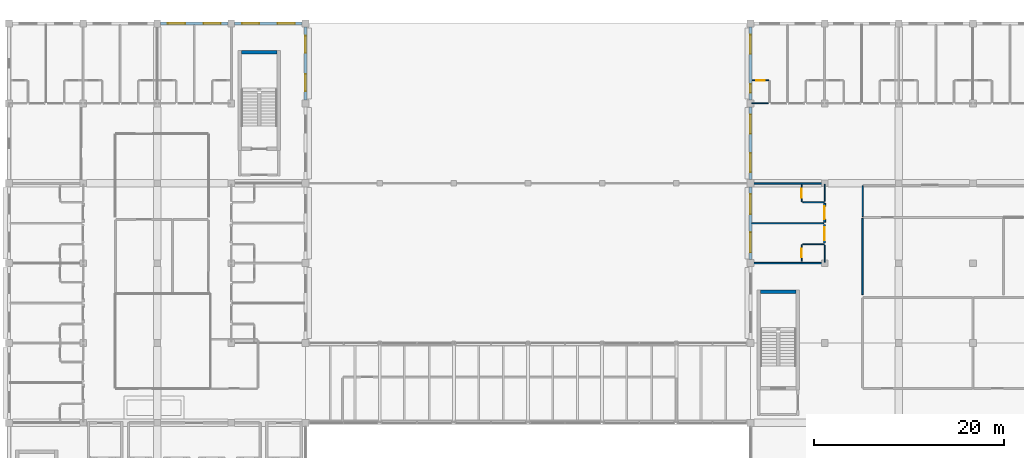
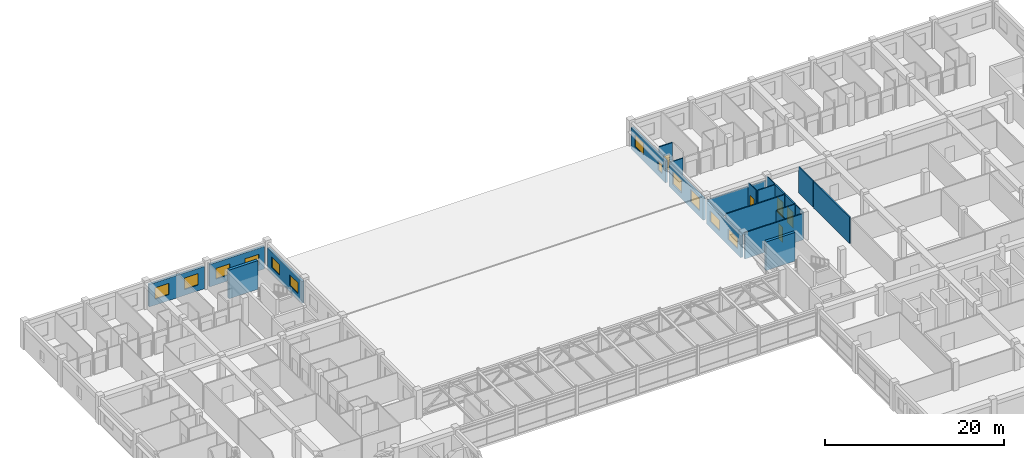
# One storey, part 60 of 72: 23 walls, 12 windows, 5 doors, 17 openings.
"""IFC4 building model written with IfcOpenShell, lengths in metres."""

from ifc_helpers import new_model, si_unit, direction, frame, frame_2d, origin, place, context, subcontext, project, spatial, rectangle, extrude, material, layer, layer_set, type_object, element, fill, save


model = new_model("IFC4")

# Units and contexts
model_context = context("Model", 3, precision=1e-05, world=origin(), true_north=direction((0.0, 1.0)))
body_context = subcontext(model_context, "Body", "Model", "MODEL_VIEW")
ifc_project = project(units=[si_unit("LENGTHUNIT", "METRE"), si_unit("AREAUNIT", "SQUARE_METRE"), si_unit("VOLUMEUNIT", "CUBIC_METRE"), si_unit("PLANEANGLEUNIT", "RADIAN"), si_unit("MASSUNIT", "GRAM", prefix="KILO"), si_unit("THERMODYNAMICTEMPERATUREUNIT", "KELVIN"), si_unit("POWERUNIT", "WATT")], contexts=[model_context])

# Site, building, storey
site_placement = place(None, origin())
site = spatial("IfcSite", under=ifc_project, at=site_placement, CompositionType="ELEMENT")
building_placement = place(site_placement, origin())
building = spatial("IfcBuilding", under=site, at=building_placement, Name="Srebrne Nadtorze General Hospital", CompositionType="ELEMENT")
storey_placement = place(building_placement, frame((0.0, 0.0, 22.199951171875)))
storey = spatial("IfcBuildingStorey", under=building, at=storey_placement, Name="L05", CompositionType="ELEMENT", Elevation=22.199951171875)

# Walls
ifc_material_1 = material(Name="Gypsum Healthcare Partition")
ifc_layer_1 = layer(ifc_material_1, 0.139892578125)
ifc_layer_set_1 = layer_set([ifc_layer_1], Name="Gypsum Healthcare Partition")
wall_type_1 = type_object("IfcWallType", Name="Clinical partition 140", PredefinedType="PARTITIONING", material=ifc_layer_set_1)
for number, where, z_axis, x_axis, name in (
    (1, (101.52001953125, 67.199951171875, 0.0), (0.0, 0.0, 1.0), (1.0, 0.0, 0.0), "Ward inter-room partition WL-INT-L05-2095"),
    (2, (101.52001953125, 71.39990234375, 0.0), (0.0, 0.0, 1.0), (1.0, 0.0, 0.0), "Ward inter-room partition WL-INT-L05-2096"),
):
    element("IfcWall", number, at=place(storey_placement, frame(where, z_axis=z_axis, x_axis=x_axis)), inside=storey, type_object=wall_type_1, Name=name, PredefinedType="PARTITIONING", context=body_context, shape_type="SweptSolid", body=[
        extrude(rectangle(XDim=7.56005859375, YDim=0.139892578125, at=frame_2d((3.780029296875, 0.0))), origin(), (0.0, 0.0, 1.0), 3.580078125),
    ])
wall_1_placement = place(storey_placement, frame((113.199951171875, 72.0849609375, 0.0), z_axis=(0.0, 0.0, 1.0), x_axis=(0.0, 1.0, 0.0)))
element("IfcWall", 3, at=wall_1_placement, inside=storey, type_object=wall_type_1, Name="Inpatient Ward Day Room wall WL-INT-L05-2151", PredefinedType="PARTITIONING", context=body_context, shape_type="SweptSolid", body=[
    extrude(rectangle(XDim=3.22998046875, YDim=0.139892578125, at=frame_2d((1.614990234375, 0.0))), origin(), (0.0, 0.0, 1.0), 3.580078125),
])
ifc_material_2 = material(Name="Gypsum Healthcare Partition")
ifc_layer_2 = layer(ifc_material_2, 0.159912109375)
ifc_layer_set_2 = layer_set([ifc_layer_2], Name="Gypsum Healthcare Partition")
wall_type_2 = type_object("IfcWallType", Name="Clinical partition 160", PredefinedType="PARTITIONING", material=ifc_layer_set_2)
wall_2_placement = place(storey_placement, frame((101.52001953125, 75.60009765625, 0.0), z_axis=(0.0, 0.0, 1.0), x_axis=(1.0, 0.0, 0.0)))
element("IfcWall", 4, at=wall_2_placement, inside=storey, type_object=wall_type_2, Name="Ward inter-room partition WL-INT-L05-2101", PredefinedType="PARTITIONING", context=body_context, shape_type="SweptSolid", body=[
    extrude(rectangle(XDim=7.56005859375, YDim=0.159912109375, at=frame_2d((3.780029296875, 0.0))), origin(), (0.0, 0.0, 1.0), 2.949951171875),
])
wall_3_placement = place(storey_placement, frame((113.199951171875, 63.885009765625, 0.0), z_axis=(0.0, 0.0, 1.0), x_axis=(0.0, 1.0, 0.0)))
element("IfcWall", 5, at=wall_3_placement, inside=storey, type_object=wall_type_2, Name="Stroke Rehabilitation Room wall WL-INT-L05-2138", PredefinedType="PARTITIONING", context=body_context, shape_type="SweptSolid", body=[
    extrude(rectangle(XDim=8.030029296875, YDim=0.159912109375, at=frame_2d((4.01513671875, 0.0))), origin(), (0.0, 0.0, 1.0), 3.580078125),
])

# Wall, opening, door
ifc_material_3 = material(Name="Gypsum Healthcare Partition")
ifc_layer_3 = layer(ifc_material_3, 0.199951171875)
ifc_layer_set_3 = layer_set([ifc_layer_3], Name="Gypsum Healthcare Partition")
wall_type_3 = type_object("IfcWallType", Name="Compartment wall 200", PredefinedType="STANDARD", material=ifc_layer_set_3)
wall_4_placement = place(storey_placement, frame((109.199951171875, 69.320068359375, 0.0), z_axis=(0.0, 0.0, 1.0), x_axis=(0.0, 1.0, 0.0)))
wall_4 = element("IfcWall", 6, at=wall_4_placement, inside=storey, type_object=wall_type_3, Name="Ward corridor wall WL-INT-L05-2097", PredefinedType="STANDARD", context=body_context, shape_type="SweptSolid", body=[
    extrude(rectangle(XDim=1.9599609375, YDim=0.199951171875, at=frame_2d((0.97998046875, 0.0))), origin(), (0.0, 0.0, 1.0), 3.580078125),
])
opening_1_placement = place(wall_4_placement, frame((0.2900390625, 0.0, 0.0)))
opening_1 = element("IfcOpeningElement", 7, at=opening_1_placement, cuts=wall_4, Name="Opening D-L05-0442", PredefinedType="OPENING", context=body_context, shape_type="SweptSolid", body=[
    extrude(rectangle(XDim=1.3798828125, YDim=2.199951171875, at=frame_2d((0.68994140625, 1.10009765625))), frame((0.0, 0.11181640625, 0.0), z_axis=(0.0, -1.0, 0.0), x_axis=(1.0, 0.0, 0.0)), (0.0, 0.0, 1.0), 0.223876953125),
])
ifc_material_4 = material(Name="Anodised Aluminium", Category="aluminium")
door_type_1 = type_object("IfcDoorType", Name="Single leaf door 1380x2200", OperationType="NOTDEFINED", PredefinedType="DOOR", material=ifc_material_4)
door_1_placement = place(opening_1_placement, origin())
door_1 = element("IfcDoor", 8, at=door_1_placement, inside=storey, type_object=door_type_1, Name="Ward patient room door D-L05-0442", OperationType="SINGLE_SWING_LEFT", OverallHeight=2.199951171875, OverallWidth=1.3798828125, PredefinedType="DOOR", context=body_context, shape_type="SweptSolid", body=[
    extrude(rectangle(XDim=1.3798828125, YDim=2.199951171875, at=frame_2d((0.68994140625, 1.10009765625))), frame((0.0, 0.02490234375, 0.0), z_axis=(0.0, -1.0, 0.0), x_axis=(1.0, 0.0, 0.0)), (0.0, 0.0, 1.0), 0.050048828125),
])
fill(opening_1, door_1)

wall_5_placement = place(storey_placement, frame((109.199951171875, 71.52001953125, 0.0), z_axis=(0.0, 0.0, 1.0), x_axis=(0.0, 1.0, 0.0)))
wall_5 = element("IfcWall", 9, at=wall_5_placement, inside=storey, type_object=wall_type_3, Name="Ward corridor wall WL-INT-L05-2102", PredefinedType="STANDARD", context=body_context, shape_type="SweptSolid", body=[
    extrude(rectangle(XDim=1.9599609375, YDim=0.199951171875, at=frame_2d((0.97998046875, 0.0))), origin(), (0.0, 0.0, 1.0), 3.580078125),
])
opening_2_placement = place(wall_5_placement, frame((0.304931640625, 0.0, 0.0)))
opening_2 = element("IfcOpeningElement", 10, at=opening_2_placement, cuts=wall_5, Name="Opening D-L05-0444", PredefinedType="OPENING", context=body_context, shape_type="SweptSolid", body=[
    extrude(rectangle(XDim=1.35009765625, YDim=2.14990234375, at=frame_2d((0.675048828125, 1.074951171875))), frame((0.0, 0.11181640625, 0.0), z_axis=(0.0, -1.0, 0.0), x_axis=(1.0, 0.0, 0.0)), (0.0, 0.0, 1.0), 0.223876953125),
])
ifc_material_5 = material(Name="Anodised Aluminium", Category="aluminium")
door_type_2 = type_object("IfcDoorType", Name="Single leaf door 1350x2150", OperationType="NOTDEFINED", PredefinedType="DOOR", material=ifc_material_5)
door_2_placement = place(opening_2_placement, origin())
door_2 = element("IfcDoor", 11, at=door_2_placement, inside=storey, type_object=door_type_2, Name="Ward patient room door D-L05-0444", OperationType="SINGLE_SWING_LEFT", OverallHeight=2.14990234375, OverallWidth=1.35009765625, PredefinedType="DOOR", context=body_context, shape_type="SweptSolid", body=[
    extrude(rectangle(XDim=1.35009765625, YDim=2.14990234375, at=frame_2d((0.675048828125, 1.074951171875))), frame((0.0, 0.02490234375, 0.0), z_axis=(0.0, -1.0, 0.0), x_axis=(1.0, 0.0, 0.0)), (0.0, 0.0, 1.0), 0.050048828125),
])
fill(opening_2, door_2)

# Wall
ifc_material_6 = material(Name="Gypsum Healthcare Partition")
ifc_layer_4 = layer(ifc_material_6, 0.1201171875)
ifc_layer_set_4 = layer_set([ifc_layer_4], Name="Gypsum Healthcare Partition")
wall_type_4 = type_object("IfcWallType", Name="En-suite partition 120", PredefinedType="PARTITIONING", material=ifc_layer_set_4)
wall_6_placement = place(storey_placement, frame((101.52001953125, 84.0, 0.0), z_axis=(0.0, 0.0, 1.0), x_axis=(1.0, 0.0, 0.0)))
element("IfcWall", 12, at=wall_6_placement, inside=storey, type_object=wall_type_4, Name="En-suite corridor wall WL-INT-L05-2006", PredefinedType="PARTITIONING", context=body_context, shape_type="SweptSolid", body=[
    extrude(rectangle(XDim=1.760009765625, YDim=0.1201171875, at=frame_2d((0.8798828125, 0.0))), origin(), (0.0, 0.0, 1.0), 2.949951171875),
])

# Wall, opening, door
wall_7_placement = place(storey_placement, frame((101.580078125, 86.419921875, 0.0), z_axis=(0.0, 0.0, 1.0), x_axis=(1.0, 0.0, 0.0)))
wall_7 = element("IfcWall", 13, at=wall_7_placement, inside=storey, type_object=wall_type_4, Name="En-suite wet wall WL-INT-L05-2008", PredefinedType="PARTITIONING", context=body_context, shape_type="SweptSolid", body=[
    extrude(rectangle(XDim=1.760009765625, YDim=0.1201171875, at=frame_2d((0.8798828125, 0.0))), origin(), (0.0, 0.0, 1.0), 3.580078125),
])
opening_3_placement = place(wall_7_placement, frame((0.419921875, 0.0, 0.0)))
opening_3 = element("IfcOpeningElement", 14, at=opening_3_placement, cuts=wall_7, Name="Opening D-L05-0407", PredefinedType="OPENING", context=body_context, shape_type="SweptSolid", body=[
    extrude(rectangle(XDim=0.919921875, YDim=2.080078125, at=frame_2d((0.4599609375, 1.0400390625))), frame((0.0, 0.072021484375, 0.0), z_axis=(0.0, -1.0, 0.0), x_axis=(1.0, 0.0, 0.0)), (0.0, 0.0, 1.0), 0.14404296875),
])
ifc_material_7 = material(Name="Anodised Aluminium", Category="aluminium")
door_type_3 = type_object("IfcDoorType", Name="Single leaf door 920x2080", OperationType="NOTDEFINED", PredefinedType="DOOR", material=ifc_material_7)
door_3_placement = place(opening_3_placement, frame((0.919921875, 0.0, 0.0), z_axis=(0.0, 0.0, 1.0), x_axis=(-1.0, 0.0, 0.0)))
door_3 = element("IfcDoor", 15, at=door_3_placement, inside=storey, type_object=door_type_3, Name="En-suite bathroom door D-L05-0407", OperationType="SINGLE_SWING_LEFT", OverallHeight=2.080078125, OverallWidth=0.919921875, PredefinedType="DOOR", context=body_context, shape_type="SweptSolid", body=[
    extrude(rectangle(XDim=0.919921875, YDim=2.080078125, at=frame_2d((0.4599609375, 1.0400390625))), frame((0.0, 0.02490234375, 0.0), z_axis=(0.0, -1.0, 0.0), x_axis=(1.0, 0.0, 0.0)), (0.0, 0.0, 1.0), 0.050048828125),
])
fill(opening_3, door_3)

# Walls
wall_8_placement = place(storey_placement, frame((109.199951171875, 67.320068359375, 0.0), z_axis=(0.0, 0.0, 1.0), x_axis=(0.0, 1.0, 0.0)))
element("IfcWall", 16, at=wall_8_placement, inside=storey, type_object=wall_type_4, Name="En-suite corridor wall WL-INT-L05-2098", PredefinedType="PARTITIONING", context=body_context, shape_type="SweptSolid", body=[
    extrude(rectangle(XDim=1.760009765625, YDim=0.1201171875, at=frame_2d((0.8798828125, 0.0))), origin(), (0.0, 0.0, 1.0), 3.580078125),
])
wall_9_placement = place(storey_placement, frame((106.89990234375, 69.199951171875, 0.0), z_axis=(0.0, 0.0, 1.0), x_axis=(1.0, 0.0, 0.0)))
element("IfcWall", 17, at=wall_9_placement, inside=storey, type_object=wall_type_4, Name="En-suite wet wall WL-INT-L05-2099", PredefinedType="PARTITIONING", context=body_context, shape_type="SweptSolid", body=[
    extrude(rectangle(XDim=2.239990234375, YDim=0.1201171875, at=frame_2d((1.1201171875, 0.0))), origin(), (0.0, 0.0, 1.0), 3.580078125),
])

# Wall, opening, door
wall_10_placement = place(storey_placement, frame((106.780029296875, 67.3798828125, 0.0), z_axis=(0.0, 0.0, 1.0), x_axis=(0.0, 1.0, 0.0)))
wall_10 = element("IfcWall", 18, at=wall_10_placement, inside=storey, type_object=wall_type_4, Name="En-suite wet wall WL-INT-L05-2100", PredefinedType="PARTITIONING", context=body_context, shape_type="SweptSolid", body=[
    extrude(rectangle(XDim=1.760009765625, YDim=0.1201171875, at=frame_2d((0.8798828125, 0.0))), origin(), (0.0, 0.0, 1.0), 3.580078125),
])
opening_4_placement = place(wall_10_placement, frame((0.419921875, 0.0, 0.0)))
opening_4 = element("IfcOpeningElement", 19, at=opening_4_placement, cuts=wall_10, Name="Opening D-L05-0443", PredefinedType="OPENING", context=body_context, shape_type="SweptSolid", body=[
    extrude(rectangle(XDim=0.919921875, YDim=2.080078125, at=frame_2d((0.4599609375, 1.0400390625))), frame((0.0, 0.072021484375, 0.0), z_axis=(0.0, -1.0, 0.0), x_axis=(1.0, 0.0, 0.0)), (0.0, 0.0, 1.0), 0.14404296875),
])
door_4_placement = place(opening_4_placement, frame((0.919921875, 0.0, 0.0), z_axis=(0.0, 0.0, 1.0), x_axis=(-1.0, 0.0, 0.0)))
door_4 = element("IfcDoor", 20, at=door_4_placement, inside=storey, type_object=door_type_3, Name="En-suite bathroom door D-L05-0443", OperationType="SINGLE_SWING_LEFT", OverallHeight=2.080078125, OverallWidth=0.919921875, PredefinedType="DOOR", context=body_context, shape_type="SweptSolid", body=[
    extrude(rectangle(XDim=0.919921875, YDim=2.080078125, at=frame_2d((0.4599609375, 1.0400390625))), frame((0.0, 0.02490234375, 0.0), z_axis=(0.0, -1.0, 0.0), x_axis=(1.0, 0.0, 0.0)), (0.0, 0.0, 1.0), 0.050048828125),
])
fill(opening_4, door_4)

# Walls
wall_11_placement = place(storey_placement, frame((109.199951171875, 73.719970703125, 0.0), z_axis=(0.0, 0.0, 1.0), x_axis=(0.0, 1.0, 0.0)))
element("IfcWall", 21, at=wall_11_placement, inside=storey, type_object=wall_type_4, Name="En-suite corridor wall WL-INT-L05-2103", PredefinedType="PARTITIONING", context=body_context, shape_type="SweptSolid", body=[
    extrude(rectangle(XDim=1.760009765625, YDim=0.1201171875, at=frame_2d((0.8798828125, 0.0))), origin(), (0.0, 0.0, 1.0), 3.580078125),
])
wall_12_placement = place(storey_placement, frame((106.89990234375, 73.60009765625, 0.0), z_axis=(0.0, 0.0, 1.0), x_axis=(1.0, 0.0, 0.0)))
element("IfcWall", 22, at=wall_12_placement, inside=storey, type_object=wall_type_4, Name="En-suite wet wall WL-INT-L05-2104", PredefinedType="PARTITIONING", context=body_context, shape_type="SweptSolid", body=[
    extrude(rectangle(XDim=2.239990234375, YDim=0.1201171875, at=frame_2d((1.1201171875, 0.0))), origin(), (0.0, 0.0, 1.0), 3.580078125),
])

# Wall, opening, door
wall_13_placement = place(storey_placement, frame((106.780029296875, 73.659912109375, 0.0), z_axis=(0.0, 0.0, 1.0), x_axis=(0.0, 1.0, 0.0)))
wall_13 = element("IfcWall", 23, at=wall_13_placement, inside=storey, type_object=wall_type_4, Name="En-suite wet wall WL-INT-L05-2105", PredefinedType="PARTITIONING", context=body_context, shape_type="SweptSolid", body=[
    extrude(rectangle(XDim=1.760009765625, YDim=0.1201171875, at=frame_2d((0.8798828125, 0.0))), origin(), (0.0, 0.0, 1.0), 3.580078125),
])
opening_5_placement = place(wall_13_placement, frame((0.405029296875, 0.0, 0.0)))
opening_5 = element("IfcOpeningElement", 24, at=opening_5_placement, cuts=wall_13, Name="Opening D-L05-0445", PredefinedType="OPENING", context=body_context, shape_type="SweptSolid", body=[
    extrude(rectangle(XDim=0.949951171875, YDim=2.10009765625, at=frame_2d((0.47509765625, 1.050048828125))), frame((0.0, 0.072021484375, 0.0), z_axis=(0.0, -1.0, 0.0), x_axis=(1.0, 0.0, 0.0)), (0.0, 0.0, 1.0), 0.14404296875),
])
ifc_material_8 = material(Name="Anodised Aluminium", Category="aluminium")
door_type_4 = type_object("IfcDoorType", Name="Single leaf door 950x2100", OperationType="NOTDEFINED", PredefinedType="DOOR", material=ifc_material_8)
door_5_placement = place(opening_5_placement, frame((0.949951171875, 0.0, 0.0), z_axis=(0.0, 0.0, 1.0), x_axis=(-1.0, 0.0, 0.0)))
door_5 = element("IfcDoor", 25, at=door_5_placement, inside=storey, type_object=door_type_4, Name="En-suite bathroom door D-L05-0445", OperationType="SINGLE_SWING_LEFT", OverallHeight=2.10009765625, OverallWidth=0.949951171875, PredefinedType="DOOR", context=body_context, shape_type="SweptSolid", body=[
    extrude(rectangle(XDim=0.949951171875, YDim=2.10009765625, at=frame_2d((0.47509765625, 1.050048828125))), frame((0.0, 0.02490234375, 0.0), z_axis=(0.0, -1.0, 0.0), x_axis=(1.0, 0.0, 0.0)), (0.0, 0.0, 1.0), 0.050048828125),
])
fill(opening_5, door_5)

# Walls
ifc_material_9 = material(Name="Concrete C40/50", Category="concrete")
ifc_layer_5 = layer(ifc_material_9, 0.35009765625)
ifc_layer_set_5 = layer_set([ifc_layer_5], Name="Concrete C40/50")
wall_type_5 = type_object("IfcWallType", Name="Shear core wall 350", PredefinedType="SHEAR", material=ifc_layer_set_5)
for number, where, z_axis, x_axis, name in (
    (26, (47.85009765625, 89.375, 0.0), (0.0, 0.0, 1.0), (1.0, 0.0, 0.0), "Stair core wall ST-02 WL-INT-L05-0347"),
    (27, (102.449951171875, 64.175048828125, 0.0), (0.0, 0.0, 1.0), (1.0, 0.0, 0.0), "Stair core wall ST-03 WL-INT-L05-0355"),
):
    element("IfcWall", number, at=place(storey_placement, frame(where, z_axis=z_axis, x_axis=x_axis)), inside=storey, type_object=wall_type_5, Name=name, PredefinedType="SHEAR", context=body_context, shape_type="SweptSolid", body=[
        extrude(rectangle(XDim=3.75, YDim=0.35009765625, at=frame_2d((1.875, 0.0))), origin(), (0.0, 0.0, 1.0), 3.900146484375),
    ])

# Wall, openings, windows
ifc_material_10 = material(Name="Concrete C35/45 precast", Category="concrete")
ifc_layer_6 = layer(ifc_material_10, 0.280029296875)
ifc_layer_set_6 = layer_set([ifc_layer_6], Name="Concrete C35/45 precast")
wall_type_6 = type_object("IfcWallType", Name="Spandrel wall 280", PredefinedType="STANDARD", material=ifc_layer_set_6)
wall_14_placement = place(storey_placement, frame((39.35009765625, 92.39990234375, 0.0), z_axis=(0.0, 0.0, 1.0), x_axis=(1.0, 0.0, 0.0)))
wall_14 = element("IfcWall", 28, at=wall_14_placement, inside=storey, type_object=wall_type_6, Name="Exterior wall WL-ENV-L05-0416", PredefinedType="STANDARD", context=body_context, shape_type="SweptSolid", body=[
    extrude(rectangle(XDim=7.099853515625, YDim=0.280029296875, at=frame_2d((3.5498046875, 0.0))), origin(), (0.0, 0.0, 1.0), 3.050048828125),
])
opening_6_placement = place(wall_14_placement, frame((0.778076171875, 0.0, 0.800048828125)))
opening_6 = element("IfcOpeningElement", 29, at=opening_6_placement, cuts=wall_14, Name="Opening WN-L05-0663", PredefinedType="OPENING", context=body_context, shape_type="SweptSolid", body=[
    extrude(rectangle(XDim=1.800048828125, YDim=1.550048828125, at=frame_2d((0.89990234375, 0.77490234375))), frame((0.0, 0.15185546875, 0.0), z_axis=(0.0, -1.0, 0.0), x_axis=(1.0, 0.0, 0.0)), (0.0, 0.0, 1.0), 0.303955078125),
])
opening_7_placement = place(wall_14_placement, frame((4.52197265625, 0.0, 0.800048828125)))
opening_7 = element("IfcOpeningElement", 30, at=opening_7_placement, cuts=wall_14, Name="Opening WN-L05-0664", PredefinedType="OPENING", context=body_context, shape_type="SweptSolid", body=[
    extrude(rectangle(XDim=1.800048828125, YDim=1.550048828125, at=frame_2d((0.89990234375, 0.77490234375))), frame((0.0, 0.15185546875, 0.0), z_axis=(0.0, -1.0, 0.0), x_axis=(1.0, 0.0, 0.0)), (0.0, 0.0, 1.0), 0.303955078125),
])
ifc_material_11 = material(Name="Triple Low-E Glazing", Category="glass")
window_type_1 = type_object("IfcWindowType", Name="Punched clinical window 1800x1550", PartitioningType="DOUBLE_PANEL_VERTICAL", PredefinedType="WINDOW", material=ifc_material_11)
window_1_placement = place(opening_6_placement, origin())
window_1 = element("IfcWindow", 31, at=window_1_placement, inside=storey, type_object=window_type_1, Name="Clinical window WN-L05-0663", OverallHeight=1.550048828125, OverallWidth=1.800048828125, PartitioningType="DOUBLE_PANEL_VERTICAL", PredefinedType="WINDOW", context=body_context, shape_type="SweptSolid", body=[
    extrude(rectangle(XDim=1.800048828125, YDim=1.550048828125, at=frame_2d((0.89990234375, 0.77490234375))), frame((0.0, 0.030029296875, 0.0), z_axis=(0.0, -1.0, 0.0), x_axis=(1.0, 0.0, 0.0)), (0.0, 0.0, 1.0), 0.06005859375),
])
fill(opening_6, window_1)
window_2_placement = place(opening_7_placement, origin())
window_2 = element("IfcWindow", 32, at=window_2_placement, inside=storey, type_object=window_type_1, Name="Clinical window WN-L05-0664", OverallHeight=1.550048828125, OverallWidth=1.800048828125, PartitioningType="DOUBLE_PANEL_VERTICAL", PredefinedType="WINDOW", context=body_context, shape_type="SweptSolid", body=[
    extrude(rectangle(XDim=1.800048828125, YDim=1.550048828125, at=frame_2d((0.89990234375, 0.77490234375))), frame((0.0, 0.030029296875, 0.0), z_axis=(0.0, -1.0, 0.0), x_axis=(1.0, 0.0, 0.0)), (0.0, 0.0, 1.0), 0.06005859375),
])
fill(opening_7, window_2)

wall_15_placement = place(storey_placement, frame((47.14990234375, 92.39990234375, 0.0), z_axis=(0.0, 0.0, 1.0), x_axis=(1.0, 0.0, 0.0)))
wall_15 = element("IfcWall", 33, at=wall_15_placement, inside=storey, type_object=wall_type_6, Name="Exterior wall WL-ENV-L05-0417", PredefinedType="STANDARD", context=body_context, shape_type="SweptSolid", body=[
    extrude(rectangle(XDim=7.0751953125, YDim=0.280029296875, at=frame_2d((3.53759765625, 0.0))), origin(), (0.0, 0.0, 1.0), 3.050048828125),
])
opening_8_placement = place(wall_15_placement, frame((0.778076171875, 0.0, 0.800048828125)))
opening_8 = element("IfcOpeningElement", 34, at=opening_8_placement, cuts=wall_15, Name="Opening WN-L05-0665", PredefinedType="OPENING", context=body_context, shape_type="SweptSolid", body=[
    extrude(rectangle(XDim=1.800048828125, YDim=1.449951171875, at=frame_2d((0.89990234375, 0.72509765625))), frame((0.0, 0.15185546875, 0.0), z_axis=(0.0, -1.0, 0.0), x_axis=(1.0, 0.0, 0.0)), (0.0, 0.0, 1.0), 0.303955078125),
])
opening_9_placement = place(wall_15_placement, frame((4.52197265625, 0.0, 0.800048828125)))
opening_9 = element("IfcOpeningElement", 35, at=opening_9_placement, cuts=wall_15, Name="Opening WN-L05-0666", PredefinedType="OPENING", context=body_context, shape_type="SweptSolid", body=[
    extrude(rectangle(XDim=1.800048828125, YDim=1.449951171875, at=frame_2d((0.89990234375, 0.72509765625))), frame((0.0, 0.15185546875, 0.0), z_axis=(0.0, -1.0, 0.0), x_axis=(1.0, 0.0, 0.0)), (0.0, 0.0, 1.0), 0.303955078125),
])
ifc_material_12 = material(Name="Triple Low-E Glazing", Category="glass")
window_type_2 = type_object("IfcWindowType", Name="Punched clinical window 1800x1450", PartitioningType="DOUBLE_PANEL_VERTICAL", PredefinedType="WINDOW", material=ifc_material_12)
window_3_placement = place(opening_8_placement, origin())
window_3 = element("IfcWindow", 36, at=window_3_placement, inside=storey, type_object=window_type_2, Name="Clinical window WN-L05-0665", OverallHeight=1.449951171875, OverallWidth=1.800048828125, PartitioningType="DOUBLE_PANEL_VERTICAL", PredefinedType="WINDOW", context=body_context, shape_type="SweptSolid", body=[
    extrude(rectangle(XDim=1.800048828125, YDim=1.449951171875, at=frame_2d((0.89990234375, 0.72509765625))), frame((0.0, 0.030029296875, 0.0), z_axis=(0.0, -1.0, 0.0), x_axis=(1.0, 0.0, 0.0)), (0.0, 0.0, 1.0), 0.06005859375),
])
fill(opening_8, window_3)
window_4_placement = place(opening_9_placement, origin())
window_4 = element("IfcWindow", 37, at=window_4_placement, inside=storey, type_object=window_type_2, Name="Clinical window WN-L05-0666", OverallHeight=1.449951171875, OverallWidth=1.800048828125, PartitioningType="DOUBLE_PANEL_VERTICAL", PredefinedType="WINDOW", context=body_context, shape_type="SweptSolid", body=[
    extrude(rectangle(XDim=1.800048828125, YDim=1.449951171875, at=frame_2d((0.89990234375, 0.72509765625))), frame((0.0, 0.030029296875, 0.0), z_axis=(0.0, -1.0, 0.0), x_axis=(1.0, 0.0, 0.0)), (0.0, 0.0, 1.0), 0.06005859375),
])
fill(opening_9, window_4)

wall_16_placement = place(storey_placement, frame((54.60009765625, 84.375, 0.0), z_axis=(0.0, 0.0, 1.0), x_axis=(0.0, 1.0, 0.0)))
wall_16 = element("IfcWall", 38, at=wall_16_placement, inside=storey, type_object=wall_type_6, Name="Exterior wall WL-ENV-L05-0440", PredefinedType="STANDARD", context=body_context, shape_type="SweptSolid", body=[
    extrude(rectangle(XDim=7.64990234375, YDim=0.280029296875, at=frame_2d((3.824951171875, 0.0))), origin(), (0.0, 0.0, 1.0), 2.949951171875),
])
opening_10_placement = place(wall_16_placement, frame((0.908935546875, 0.0, 0.800048828125)))
opening_10 = element("IfcOpeningElement", 39, at=opening_10_placement, cuts=wall_16, Name="Opening WN-L05-0707", PredefinedType="OPENING", context=body_context, shape_type="SweptSolid", body=[
    extrude(rectangle(XDim=1.800048828125, YDim=1.449951171875, at=frame_2d((0.89990234375, 0.72509765625))), frame((0.0, 0.15185546875, 0.0), z_axis=(0.0, -1.0, 0.0), x_axis=(1.0, 0.0, 0.0)), (0.0, 0.0, 1.0), 0.303955078125),
])
opening_11_placement = place(wall_16_placement, frame((4.94091796875, 0.0, 0.800048828125)))
opening_11 = element("IfcOpeningElement", 40, at=opening_11_placement, cuts=wall_16, Name="Opening WN-L05-0708", PredefinedType="OPENING", context=body_context, shape_type="SweptSolid", body=[
    extrude(rectangle(XDim=1.800048828125, YDim=1.449951171875, at=frame_2d((0.89990234375, 0.72509765625))), frame((0.0, 0.15185546875, 0.0), z_axis=(0.0, -1.0, 0.0), x_axis=(1.0, 0.0, 0.0)), (0.0, 0.0, 1.0), 0.303955078125),
])
window_5_placement = place(opening_10_placement, origin())
window_5 = element("IfcWindow", 41, at=window_5_placement, inside=storey, type_object=window_type_2, Name="Clinical window WN-L05-0707", OverallHeight=1.449951171875, OverallWidth=1.800048828125, PartitioningType="DOUBLE_PANEL_VERTICAL", PredefinedType="WINDOW", context=body_context, shape_type="SweptSolid", body=[
    extrude(rectangle(XDim=1.800048828125, YDim=1.449951171875, at=frame_2d((0.89990234375, 0.72509765625))), frame((0.0, 0.030029296875, 0.0), z_axis=(0.0, -1.0, 0.0), x_axis=(1.0, 0.0, 0.0)), (0.0, 0.0, 1.0), 0.06005859375),
])
fill(opening_10, window_5)
window_6_placement = place(opening_11_placement, origin())
window_6 = element("IfcWindow", 42, at=window_6_placement, inside=storey, type_object=window_type_2, Name="Clinical window WN-L05-0708", OverallHeight=1.449951171875, OverallWidth=1.800048828125, PartitioningType="DOUBLE_PANEL_VERTICAL", PredefinedType="WINDOW", context=body_context, shape_type="SweptSolid", body=[
    extrude(rectangle(XDim=1.800048828125, YDim=1.449951171875, at=frame_2d((0.89990234375, 0.72509765625))), frame((0.0, 0.030029296875, 0.0), z_axis=(0.0, -1.0, 0.0), x_axis=(1.0, 0.0, 0.0)), (0.0, 0.0, 1.0), 0.06005859375),
])
fill(opening_11, window_6)

wall_17_placement = place(storey_placement, frame((101.39990234375, 67.574951171875, 0.0), z_axis=(0.0, 0.0, 1.0), x_axis=(0.0, 1.0, 0.0)))
wall_17 = element("IfcWall", 43, at=wall_17_placement, inside=storey, type_object=wall_type_6, Name="Exterior wall WL-ENV-L05-0446", PredefinedType="STANDARD", context=body_context, shape_type="SweptSolid", body=[
    extrude(rectangle(XDim=7.650146484375, YDim=0.280029296875, at=frame_2d((3.8251953125, 0.0))), origin(), (0.0, 0.0, 1.0), 2.949951171875),
])
opening_12_placement = place(wall_17_placement, frame((0.759033203125, 0.0, 0.800048828125)))
opening_12 = element("IfcOpeningElement", 44, at=opening_12_placement, cuts=wall_17, Name="Opening WN-L05-0723", PredefinedType="OPENING", context=body_context, shape_type="SweptSolid", body=[
    extrude(rectangle(XDim=2.10009765625, YDim=1.449951171875, at=frame_2d((1.050048828125, 0.72509765625))), frame((0.0, 0.15185546875, 0.0), z_axis=(0.0, -1.0, 0.0), x_axis=(1.0, 0.0, 0.0)), (0.0, 0.0, 1.0), 0.303955078125),
])
opening_13_placement = place(wall_17_placement, frame((4.791015625, 0.0, 0.800048828125)))
opening_13 = element("IfcOpeningElement", 45, at=opening_13_placement, cuts=wall_17, Name="Opening WN-L05-0724", PredefinedType="OPENING", context=body_context, shape_type="SweptSolid", body=[
    extrude(rectangle(XDim=2.10009765625, YDim=1.449951171875, at=frame_2d((1.050048828125, 0.72509765625))), frame((0.0, 0.15185546875, 0.0), z_axis=(0.0, -1.0, 0.0), x_axis=(1.0, 0.0, 0.0)), (0.0, 0.0, 1.0), 0.303955078125),
])
ifc_material_13 = material(Name="Triple Low-E Glazing", Category="glass")
window_type_3 = type_object("IfcWindowType", Name="Punched clinical window 2100x1450", PartitioningType="DOUBLE_PANEL_VERTICAL", PredefinedType="WINDOW", material=ifc_material_13)
window_7_placement = place(opening_12_placement, origin())
window_7 = element("IfcWindow", 46, at=window_7_placement, inside=storey, type_object=window_type_3, Name="Clinical window WN-L05-0723", OverallHeight=1.449951171875, OverallWidth=2.10009765625, PartitioningType="DOUBLE_PANEL_VERTICAL", PredefinedType="WINDOW", context=body_context, shape_type="SweptSolid", body=[
    extrude(rectangle(XDim=2.10009765625, YDim=1.449951171875, at=frame_2d((1.050048828125, 0.72509765625))), frame((0.0, 0.030029296875, 0.0), z_axis=(0.0, -1.0, 0.0), x_axis=(1.0, 0.0, 0.0)), (0.0, 0.0, 1.0), 0.06005859375),
])
fill(opening_12, window_7)
window_8_placement = place(opening_13_placement, origin())
window_8 = element("IfcWindow", 47, at=window_8_placement, inside=storey, type_object=window_type_3, Name="Clinical window WN-L05-0724", OverallHeight=1.449951171875, OverallWidth=2.10009765625, PartitioningType="DOUBLE_PANEL_VERTICAL", PredefinedType="WINDOW", context=body_context, shape_type="SweptSolid", body=[
    extrude(rectangle(XDim=2.10009765625, YDim=1.449951171875, at=frame_2d((1.050048828125, 0.72509765625))), frame((0.0, 0.030029296875, 0.0), z_axis=(0.0, -1.0, 0.0), x_axis=(1.0, 0.0, 0.0)), (0.0, 0.0, 1.0), 0.06005859375),
])
fill(opening_13, window_8)

wall_18_placement = place(storey_placement, frame((101.39990234375, 75.97509765625, 0.0), z_axis=(0.0, 0.0, 1.0), x_axis=(0.0, 1.0, 0.0)))
wall_18 = element("IfcWall", 48, at=wall_18_placement, inside=storey, type_object=wall_type_6, Name="Exterior wall WL-ENV-L05-0447", PredefinedType="STANDARD", context=body_context, shape_type="SweptSolid", body=[
    extrude(rectangle(XDim=7.64990234375, YDim=0.280029296875, at=frame_2d((3.824951171875, 0.0))), origin(), (0.0, 0.0, 1.0), 2.949951171875),
])
opening_14_placement = place(wall_18_placement, frame((0.80908203125, 0.0, 0.800048828125)))
opening_14 = element("IfcOpeningElement", 49, at=opening_14_placement, cuts=wall_18, Name="Opening WN-L05-0725", PredefinedType="OPENING", context=body_context, shape_type="SweptSolid", body=[
    extrude(rectangle(XDim=2.0, YDim=1.75, at=frame_2d((1.0, 0.875))), frame((0.0, 0.15185546875, 0.0), z_axis=(0.0, -1.0, 0.0), x_axis=(1.0, 0.0, 0.0)), (0.0, 0.0, 1.0), 0.303955078125),
])
opening_15_placement = place(wall_18_placement, frame((4.841064453125, 0.0, 0.800048828125)))
opening_15 = element("IfcOpeningElement", 50, at=opening_15_placement, cuts=wall_18, Name="Opening WN-L05-0726", PredefinedType="OPENING", context=body_context, shape_type="SweptSolid", body=[
    extrude(rectangle(XDim=2.0, YDim=1.75, at=frame_2d((1.0, 0.875))), frame((0.0, 0.15185546875, 0.0), z_axis=(0.0, -1.0, 0.0), x_axis=(1.0, 0.0, 0.0)), (0.0, 0.0, 1.0), 0.303955078125),
])
ifc_material_14 = material(Name="Triple Low-E Glazing", Category="glass")
window_type_4 = type_object("IfcWindowType", Name="Punched clinical window 2000x1750", PartitioningType="DOUBLE_PANEL_VERTICAL", PredefinedType="WINDOW", material=ifc_material_14)
window_9_placement = place(opening_14_placement, origin())
window_9 = element("IfcWindow", 51, at=window_9_placement, inside=storey, type_object=window_type_4, Name="Clinical window WN-L05-0725", OverallHeight=1.75, OverallWidth=2.0, PartitioningType="DOUBLE_PANEL_VERTICAL", PredefinedType="WINDOW", context=body_context, shape_type="SweptSolid", body=[
    extrude(rectangle(XDim=2.0, YDim=1.75, at=frame_2d((1.0, 0.875))), frame((0.0, 0.030029296875, 0.0), z_axis=(0.0, -1.0, 0.0), x_axis=(1.0, 0.0, 0.0)), (0.0, 0.0, 1.0), 0.06005859375),
])
fill(opening_14, window_9)
window_10_placement = place(opening_15_placement, origin())
window_10 = element("IfcWindow", 52, at=window_10_placement, inside=storey, type_object=window_type_4, Name="Clinical window WN-L05-0726", OverallHeight=1.75, OverallWidth=2.0, PartitioningType="DOUBLE_PANEL_VERTICAL", PredefinedType="WINDOW", context=body_context, shape_type="SweptSolid", body=[
    extrude(rectangle(XDim=2.0, YDim=1.75, at=frame_2d((1.0, 0.875))), frame((0.0, 0.030029296875, 0.0), z_axis=(0.0, -1.0, 0.0), x_axis=(1.0, 0.0, 0.0)), (0.0, 0.0, 1.0), 0.06005859375),
])
fill(opening_15, window_10)

wall_19_placement = place(storey_placement, frame((101.39990234375, 84.375, 0.0), z_axis=(0.0, 0.0, 1.0), x_axis=(0.0, 1.0, 0.0)))
wall_19 = element("IfcWall", 53, at=wall_19_placement, inside=storey, type_object=wall_type_6, Name="Exterior wall WL-ENV-L05-0448", PredefinedType="STANDARD", context=body_context, shape_type="SweptSolid", body=[
    extrude(rectangle(XDim=7.64990234375, YDim=0.280029296875, at=frame_2d((3.824951171875, 0.0))), origin(), (0.0, 0.0, 1.0), 2.949951171875),
])
opening_16_placement = place(wall_19_placement, frame((0.759033203125, 0.0, 0.800048828125)))
opening_16 = element("IfcOpeningElement", 54, at=opening_16_placement, cuts=wall_19, Name="Opening WN-L05-0727", PredefinedType="OPENING", context=body_context, shape_type="SweptSolid", body=[
    extrude(rectangle(XDim=0.89990234375, YDim=1.300048828125, at=frame_2d((0.449951171875, 0.64990234375))), frame((0.0, 0.15185546875, 0.0), z_axis=(0.0, -1.0, 0.0), x_axis=(1.0, 0.0, 0.0)), (0.0, 0.0, 1.0), 0.303955078125),
])
opening_17_placement = place(wall_19_placement, frame((4.841064453125, 0.0, 0.800048828125)))
opening_17 = element("IfcOpeningElement", 55, at=opening_17_placement, cuts=wall_19, Name="Opening WN-L05-0728", PredefinedType="OPENING", context=body_context, shape_type="SweptSolid", body=[
    extrude(rectangle(XDim=2.0, YDim=1.64990234375, at=frame_2d((1.0, 0.824951171875))), frame((0.0, 0.15185546875, 0.0), z_axis=(0.0, -1.0, 0.0), x_axis=(1.0, 0.0, 0.0)), (0.0, 0.0, 1.0), 0.303955078125),
])
ifc_material_15 = material(Name="Triple Low-E Glazing", Category="glass")
window_type_5 = type_object("IfcWindowType", Name="Punched clinical window 2000x1650", PartitioningType="DOUBLE_PANEL_VERTICAL", PredefinedType="WINDOW", material=ifc_material_15)
window_11_placement = place(opening_17_placement, origin())
window_11 = element("IfcWindow", 56, at=window_11_placement, inside=storey, type_object=window_type_5, Name="Clinical window WN-L05-0728", OverallHeight=1.64990234375, OverallWidth=2.0, PartitioningType="DOUBLE_PANEL_VERTICAL", PredefinedType="WINDOW", context=body_context, shape_type="SweptSolid", body=[
    extrude(rectangle(XDim=2.0, YDim=1.64990234375, at=frame_2d((1.0, 0.824951171875))), frame((0.0, 0.030029296875, 0.0), z_axis=(0.0, -1.0, 0.0), x_axis=(1.0, 0.0, 0.0)), (0.0, 0.0, 1.0), 0.06005859375),
])
fill(opening_17, window_11)
ifc_material_16 = material(Name="Triple Low-E Glazing", Category="glass")
window_type_6 = type_object("IfcWindowType", Name="Punched clinical window 900x1300", PartitioningType="SINGLE_PANEL", PredefinedType="WINDOW", material=ifc_material_16)
window_12_placement = place(opening_16_placement, origin())
window_12 = element("IfcWindow", 57, at=window_12_placement, inside=storey, type_object=window_type_6, Name="Clinical window WN-L05-0727", OverallHeight=1.300048828125, OverallWidth=0.89990234375, PartitioningType="SINGLE_PANEL", PredefinedType="WINDOW", context=body_context, shape_type="SweptSolid", body=[
    extrude(rectangle(XDim=0.89990234375, YDim=1.300048828125, at=frame_2d((0.449951171875, 0.64990234375))), frame((0.0, 0.030029296875, 0.0), z_axis=(0.0, -1.0, 0.0), x_axis=(1.0, 0.0, 0.0)), (0.0, 0.0, 1.0), 0.06005859375),
])
fill(opening_16, window_12)

save(model, "model.ifc")
